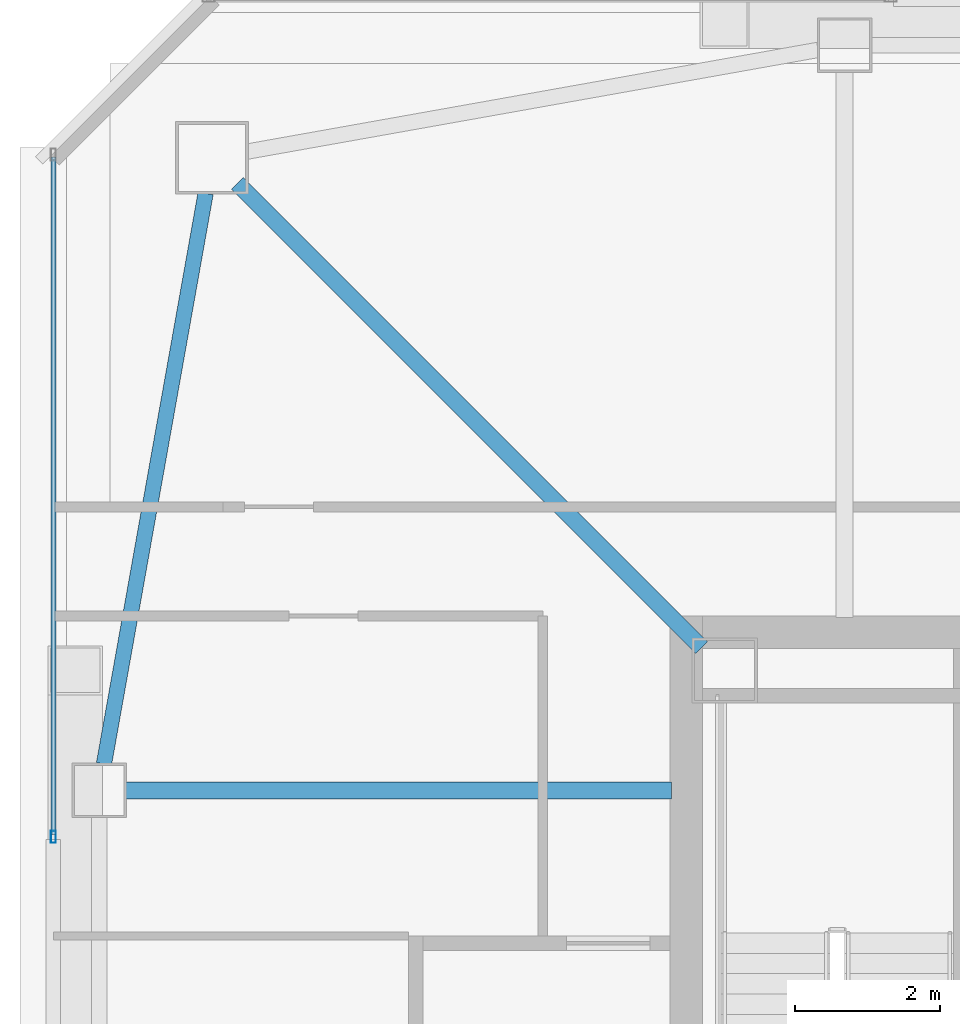
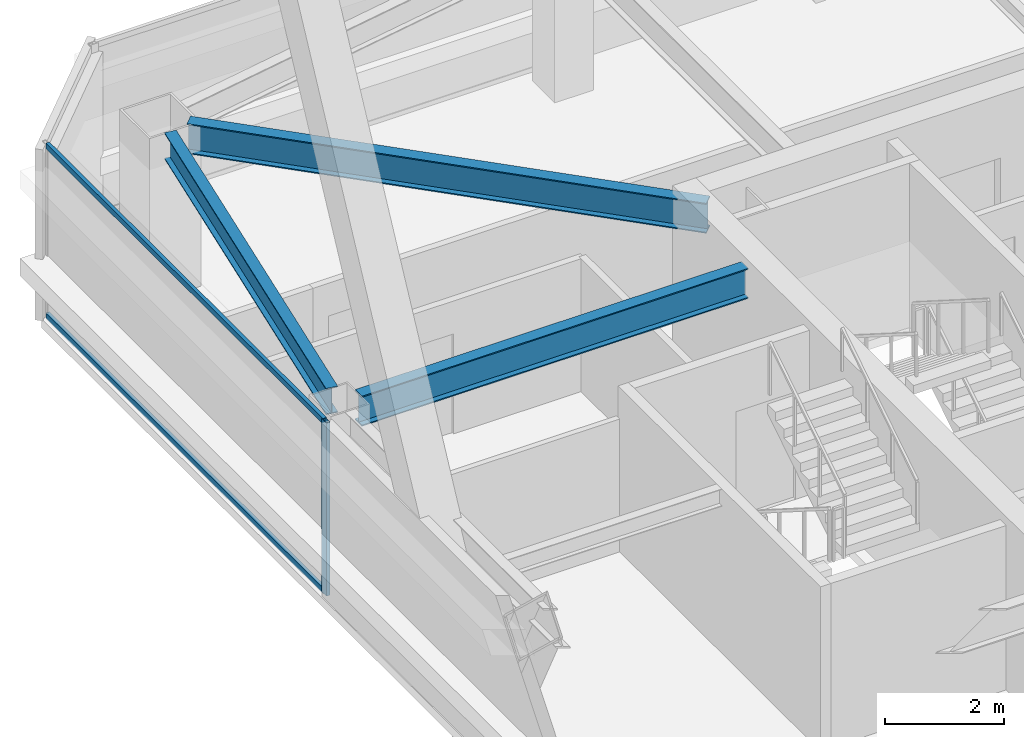
# One storey, part 9 of 47: 3 beams, 3 members, 1 element without a shape of its own.
"""IFC4 building model written with IfcOpenShell, lengths in metres."""

from ifc_helpers import new_model, si_unit, direction, frame, origin, origin_2d, place, context, subcontext, project, spatial, hollow_rectangle, i_section, extrude, material, material_profile, profile_set, type_object, element, aggregate, save


model = new_model("IFC4")

# Units and contexts
model_context = context("Model", 3, precision=1e-05, world=origin(), true_north=direction((0.0, 1.0)))
body_context = subcontext(model_context, "Body", "Model", "MODEL_VIEW")
ifc_project = project(units=[si_unit("LENGTHUNIT", "METRE"), si_unit("AREAUNIT", "SQUARE_METRE"), si_unit("VOLUMEUNIT", "CUBIC_METRE"), si_unit("PLANEANGLEUNIT", "RADIAN"), si_unit("MASSUNIT", "GRAM", prefix="KILO")], contexts=[model_context])

# Site, building, storey
site_placement = place(None, origin())
site = spatial("IfcSite", under=ifc_project, at=site_placement, CompositionType="ELEMENT")
building_placement = place(site_placement, origin())
building = spatial("IfcBuilding", under=site, at=building_placement, Name="Tashvorn Skyway Center", CompositionType="ELEMENT")
storey_placement = place(building_placement, frame((0.0, 0.0, 204.199951171875)))
storey = spatial("IfcBuildingStorey", under=building, at=storey_placement, Name="L55", CompositionType="ELEMENT", Elevation=204.199951171875)

# Beams
ifc_material_1 = material(Name="Steel ASTM A992 Grade 50", Category="steel")
ifc_material_profile_1 = material_profile(ifc_material_1, i_section(OverallWidth=0.22998046875, OverallDepth=0.616943359375, WebThickness=0.01318359375, FlangeThickness=0.022216796875, at=origin_2d()), Name="W24X94")
ifc_profile_set_1 = profile_set([ifc_material_profile_1], Name="Steel ASTM A992 Grade 50")
beam_type_1 = type_object("IfcBeamType", Name="BM-BEAM-W24X94", PredefinedType="BEAM", material=ifc_profile_set_1)
beam_1_placement = place(storey_placement, frame((28.25, 45.75, 3.0615234375), z_axis=(0.707106781187, -0.707106781187, 0.0), x_axis=(0.707106781187, 0.707106781187, 0.0)))
element("IfcBeam", 1, at=beam_1_placement, inside=storey, type_object=beam_type_1, Name="Tower 1 L55 Primary Floor Girder MC-NW", PredefinedType="BEAM", context=body_context, shape_type="SweptSolid", body=[
    extrude(i_section(OverallWidth=0.22998046875, OverallDepth=0.616943359375, WebThickness=0.01318359375, FlangeThickness=0.022216796875, at=origin_2d()), origin(), (0.0, 0.0, 1.0), 9.030029296875),
])
beam_2_placement = place(storey_placement, frame((26.719970703125, 37.39990234375, 3.0615234375), z_axis=(1.0, 0.0, 0.0), x_axis=(0.0, 1.0, 0.0)))
element("IfcBeam", 2, at=beam_2_placement, inside=storey, type_object=beam_type_1, Name="Tower 1 L55 Primary Floor Girder FC-W1", PredefinedType="BEAM", context=body_context, shape_type="SweptSolid", body=[
    extrude(i_section(OverallWidth=0.22998046875, OverallDepth=0.616943359375, WebThickness=0.01318359375, FlangeThickness=0.022216796875, at=origin_2d()), origin(), (0.0, 0.0, 1.0), 7.5),
])
ifc_material_profile_2 = material_profile(ifc_material_1, i_section(OverallWidth=0.2109375, OverallDepth=0.5390625, WebThickness=0.01171875, FlangeThickness=0.018798828125, at=origin_2d()), Name="W21X73")
ifc_profile_set_2 = profile_set([ifc_material_profile_2], Name="Steel ASTM A992 Grade 50")
beam_type_2 = type_object("IfcBeamType", Name="BM-SPANDREL-W21X73", PredefinedType="SPANDREL", material=ifc_profile_set_2)
beam_3_placement = place(storey_placement, frame((27.813232421875, 45.61279296875, 3.1005859375), z_axis=(-0.17541329759, -0.984494883191, 0.0), x_axis=(0.984494883191, -0.17541329759, 0.0)))
element("IfcBeam", 3, at=beam_3_placement, inside=storey, type_object=beam_type_2, Name="Tower 1 L55 Spandrel Beam 10", PredefinedType="SPANDREL", context=body_context, shape_type="SweptSolid", body=[
    extrude(i_section(OverallWidth=0.2109375, OverallDepth=0.5390625, WebThickness=0.01171875, FlangeThickness=0.018798828125, at=origin_2d()), origin(), (0.0, 0.0, 1.0), 7.97216796875),
])

# Curtain wall, members
ifc_material_2 = material(Name="Thermally broken bronze-anodized aluminium 6063-T6", Category="aluminium")
curtain_wall_type = type_object("IfcCurtainWallType", Name="CW-CW-Z5", PredefinedType="NOTDEFINED", material=ifc_material_2)
curtain_wall_placement = place(storey_placement, origin())
curtain_wall = element("IfcCurtainWall", 4, at=curtain_wall_placement, inside=storey, type_object=curtain_wall_type, Name="Tower 1 L55 West Unitised Curtain Wall Glazing Group 2", PredefinedType="NOTDEFINED")
ifc_material_profile_3 = material_profile(ifc_material_2, hollow_rectangle(XDim=0.070068359375, YDim=0.1650390625, WallThickness=0.00390625, at=origin_2d()), Name="ALU-MULL-70x165")
ifc_profile_set_3 = profile_set([ifc_material_profile_3], Name="Thermally broken bronze-anodized aluminium 6063-T6")
member_type_1 = type_object("IfcMemberType", Name="CWM-CW-Z5", PredefinedType="MULLION", material=ifc_profile_set_3)
member_1_placement = place(storey_placement, frame((25.719970703125, 36.76171875, 0.0), z_axis=(0.0, 0.0, 1.0), x_axis=(-1.0, 0.0, 0.0)))
member_1 = element("IfcMember", 5, at=member_1_placement, type_object=member_type_1, Name="CW-Z5 mullion 1", PredefinedType="MULLION", context=body_context, shape_type="SweptSolid", body=[
    extrude(hollow_rectangle(XDim=0.070068359375, YDim=0.1650390625, WallThickness=0.00390625, at=origin_2d()), origin(), (0.0, 0.0, 1.0), 3.550048828125),
])
ifc_material_profile_4 = material_profile(ifc_material_2, hollow_rectangle(XDim=0.070068359375, YDim=0.114990234375, WallThickness=0.00390625, at=origin_2d()), Name="ALU-TRAN-70x115")
ifc_profile_set_4 = profile_set([ifc_material_profile_4], Name="Thermally broken bronze-anodized aluminium 6063-T6")
member_type_2 = type_object("IfcMemberType", Name="CWT-CW-Z5", PredefinedType="USERDEFINED", material=ifc_profile_set_4)
member_2_placement = place(storey_placement, frame((25.719970703125, 36.796630859375, 0.03515625), z_axis=(0.0, 1.0, 0.0), x_axis=(-1.0, 0.0, 0.0)))
member_2 = element("IfcMember", 6, at=member_2_placement, type_object=member_type_2, Name="CW-Z5 transom 1.1", ObjectType="TRANSOM", PredefinedType="USERDEFINED", context=body_context, shape_type="SweptSolid", body=[
    extrude(hollow_rectangle(XDim=0.070068359375, YDim=0.114990234375, WallThickness=0.00390625, at=origin_2d()), origin(), (0.0, 0.0, 1.0), 9.3134765625),
])
member_3_placement = place(storey_placement, frame((25.719970703125, 36.796630859375, 3.51513671875), z_axis=(0.0, 1.0, 0.0), x_axis=(-1.0, 0.0, 0.0)))
member_3 = element("IfcMember", 7, at=member_3_placement, type_object=member_type_2, Name="CW-Z5 transom 1.2", ObjectType="TRANSOM", PredefinedType="USERDEFINED", context=body_context, shape_type="SweptSolid", body=[
    extrude(hollow_rectangle(XDim=0.070068359375, YDim=0.114990234375, WallThickness=0.00390625, at=origin_2d()), origin(), (0.0, 0.0, 1.0), 9.3134765625),
])
aggregate(curtain_wall, [member_1, member_2, member_3])

save(model, "model.ifc")
